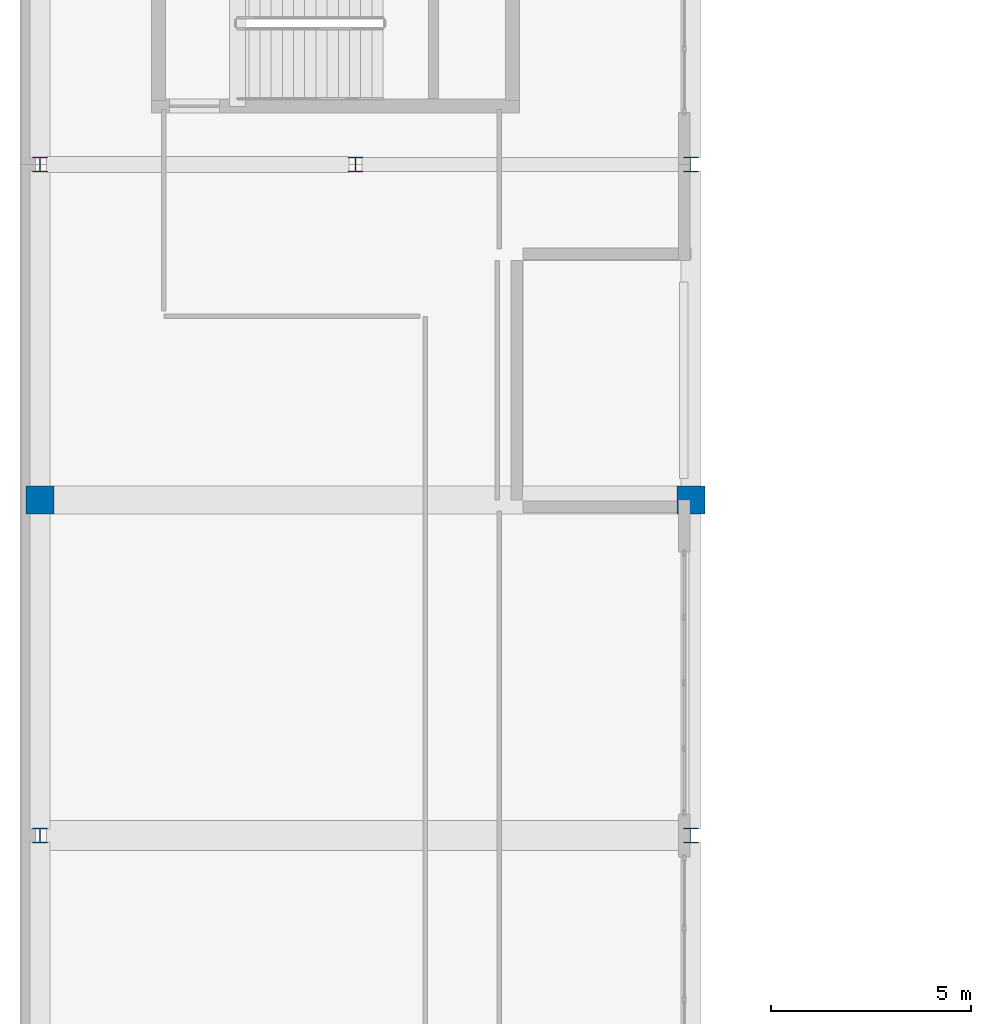
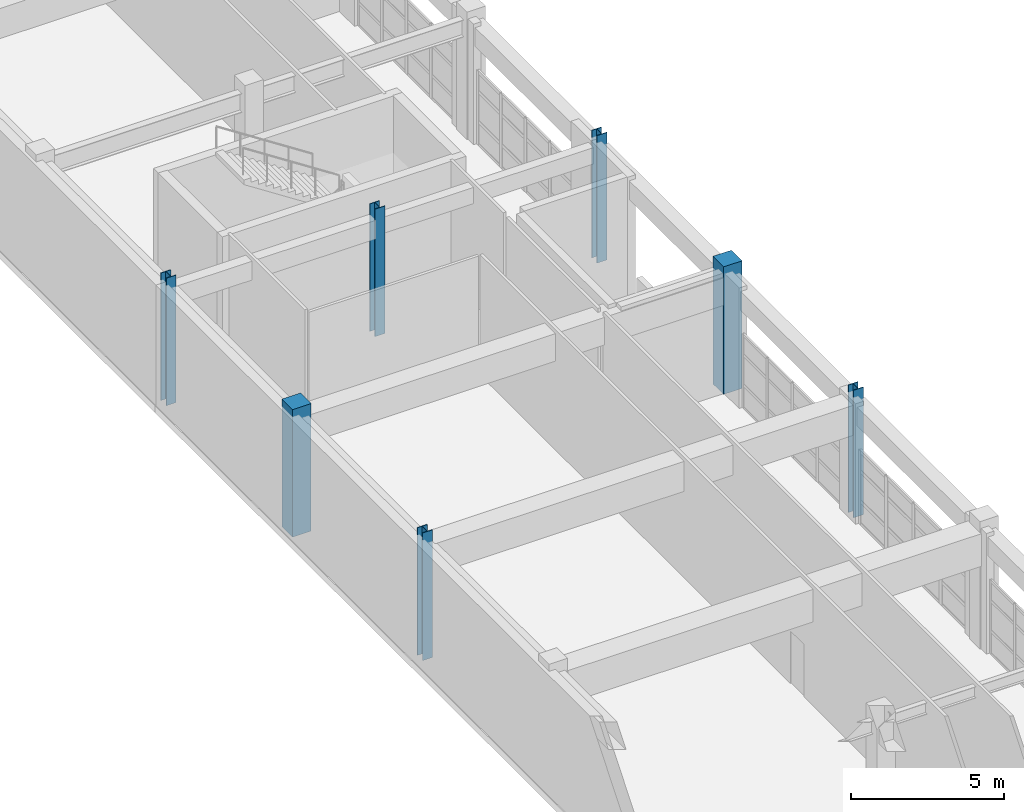
# One storey, part 3 of 103: 7 columns.
"""IFC4 building model written with IfcOpenShell, lengths in metres."""

from ifc_helpers import new_model, si_unit, direction, frame, origin, origin_2d, place, context, subcontext, project, spatial, rectangle, i_section, extrude, material, material_profile, profile_set, type_object, element, save


model = new_model("IFC4")

# Units and contexts
model_context = context("Model", 3, precision=1e-05, world=origin(), true_north=direction((0.0, 1.0)))
body_context = subcontext(model_context, "Body", "Model", "MODEL_VIEW")
ifc_project = project(units=[si_unit("LENGTHUNIT", "METRE"), si_unit("AREAUNIT", "SQUARE_METRE"), si_unit("VOLUMEUNIT", "CUBIC_METRE"), si_unit("PLANEANGLEUNIT", "RADIAN"), si_unit("MASSUNIT", "GRAM", prefix="KILO")], contexts=[model_context])

# Site, building, storey
site_placement = place(None, origin())
site = spatial("IfcSite", under=ifc_project, at=site_placement, CompositionType="ELEMENT")
building_placement = place(site_placement, origin())
building = spatial("IfcBuilding", under=site, at=building_placement, Name="Quendrovan Civic Courthouse", CompositionType="ELEMENT")
storey_placement = place(building_placement, frame((0.0, 0.0, 15.300048828125)))
storey = spatial("IfcBuildingStorey", under=building, at=storey_placement, Name="L04", CompositionType="ELEMENT", Elevation=15.300048828125)

# Columns
ifc_material_1 = material(Name="Concrete C45/55", Category="concrete")
ifc_material_profile_1 = material_profile(ifc_material_1, rectangle(XDim=0.699951171875, YDim=0.699951171875, at=origin_2d()), Name="RC-COL-700x700")
ifc_profile_set_1 = profile_set([ifc_material_profile_1], Name="Concrete C45/55")
column_type_1 = type_object("IfcColumnType", Name="COL-RC700", PredefinedType="COLUMN", material=ifc_profile_set_1)
for number, where, z_axis, x_axis, name in (
    (1, (0.5, 48.0, 0.0), (0.0, 0.0, 1.0), (1.0, 0.0, 0.0), "L04 Column 1-G"),
    (2, (16.800048828125, 48.0, 0.0), (0.0, 0.0, 1.0), (1.0, 0.0, 0.0), "L04 Column 3-G"),
):
    element("IfcColumn", number, at=place(storey_placement, frame(where, z_axis=z_axis, x_axis=x_axis)), inside=storey, type_object=column_type_1, Name=name, PredefinedType="COLUMN", context=body_context, shape_type="SweptSolid", body=[
        extrude(rectangle(XDim=0.699951171875, YDim=0.699951171875, at=origin_2d()), origin(), (0.0, 0.0, 1.0), 5.099853515625),
    ])
ifc_material_2 = material(Name="Steel ASTM A992 Grade 50", Category="steel")
ifc_material_profile_2 = material_profile(ifc_material_2, i_section(OverallWidth=0.3740234375, OverallDepth=0.3720703125, WebThickness=0.016357421875, FlangeThickness=0.026123046875, at=origin_2d()), Name="W14X132")
ifc_profile_set_2 = profile_set([ifc_material_profile_2], Name="Steel ASTM A992 Grade 50")
column_type_2 = type_object("IfcColumnType", Name="COL-STL-W14X132", PredefinedType="COLUMN", material=ifc_profile_set_2)
for number, where, z_axis, x_axis, name in (
    (3, (0.5, 39.60009765625, 0.0), (0.0, 0.0, 1.0), (1.0, 0.0, 0.0), "L04 Column 1-F"),
    (4, (0.5, 56.39990234375, 0.0), (0.0, 0.0, 1.0), (1.0, 0.0, 0.0), "L04 Column 1-H"),
    (5, (8.39990234375, 56.39990234375, 0.0), (0.0, 0.0, 1.0), (1.0, 0.0, 0.0), "L04 Column 2-H"),
    (6, (16.800048828125, 39.60009765625, 0.0), (0.0, 0.0, 1.0), (1.0, 0.0, 0.0), "L04 Column 3-F"),
    (7, (16.800048828125, 56.39990234375, 0.0), (0.0, 0.0, 1.0), (1.0, 0.0, 0.0), "L04 Column 3-H"),
):
    element("IfcColumn", number, at=place(storey_placement, frame(where, z_axis=z_axis, x_axis=x_axis)), inside=storey, type_object=column_type_2, Name=name, PredefinedType="COLUMN", context=body_context, shape_type="SweptSolid", body=[
        extrude(i_section(OverallWidth=0.3740234375, OverallDepth=0.3720703125, WebThickness=0.016357421875, FlangeThickness=0.026123046875, at=origin_2d()), origin(), (0.0, 0.0, 1.0), 5.099853515625),
    ])

save(model, "model.ifc")
